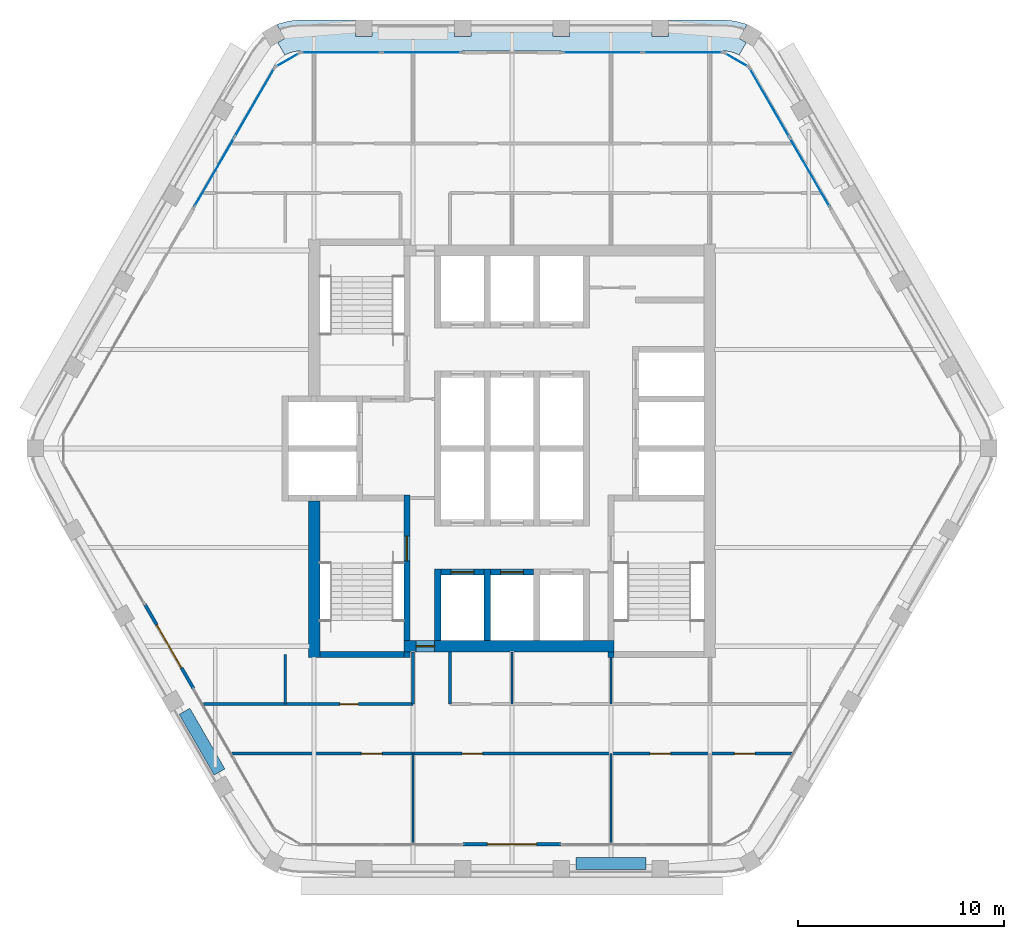
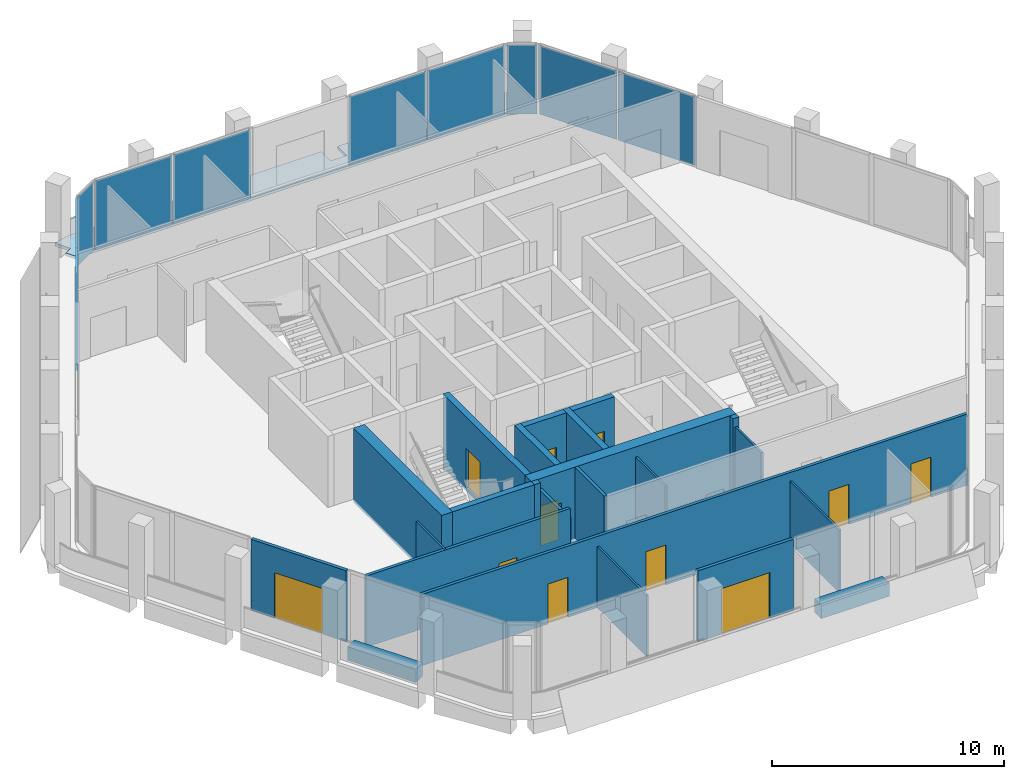
# One storey, part 7 of 14: 23 walls, 11 doors, 10 plates, 1 slab, 11 openings, 6 elements without a shape of their own.
"""IFC4 building model written with IfcOpenShell, lengths in metres."""

from ifc_helpers import new_model, si_unit, direction, frame, frame_2d, origin, origin_2d, place, context, subcontext, project, spatial, polyline, rectangle, outline, extrude, material, layer, layer_set, type_object, element, fill, aggregate, save


model = new_model("IFC4")

# Units and contexts
model_context = context("Model", 3, precision=1e-05, world=origin(), true_north=direction((0.0, 1.0)))
body_context = subcontext(model_context, "Body", "Model", "MODEL_VIEW")
ifc_project = project(units=[si_unit("LENGTHUNIT", "METRE"), si_unit("AREAUNIT", "SQUARE_METRE"), si_unit("VOLUMEUNIT", "CUBIC_METRE"), si_unit("PLANEANGLEUNIT", "RADIAN"), si_unit("MASSUNIT", "GRAM", prefix="KILO")], contexts=[model_context])

# Site, building, storey
site_placement = place(None, origin())
site = spatial("IfcSite", under=ifc_project, at=site_placement, CompositionType="ELEMENT")
building_placement = place(site_placement, origin())
building = spatial("IfcBuilding", under=site, at=building_placement, Name="Kolab Exchange Tower", CompositionType="ELEMENT")
storey_placement = place(building_placement, frame((0.0, 0.0, 246.199951171875)))
storey = spatial("IfcBuildingStorey", under=building, at=storey_placement, Name="L54", CompositionType="ELEMENT", Elevation=246.199951171875)

# Slab
ifc_material_1 = material(Name="Concrete C35/45", Category="concrete")
ifc_layer_1 = layer(ifc_material_1, 0.14990234375)
ifc_layer_set_1 = layer_set([ifc_layer_1], Name="Concrete C35/45")
slab_type = type_object("IfcSlabType", Name="LOGGIA SLAB 150", PredefinedType="FLOOR", material=ifc_layer_set_1)
slab_placement = place(storey_placement, frame((0.0, 0.0, -0.14990234375)))
element("IfcSlab", 1, at=slab_placement, inside=storey, type_object=slab_type, Name="slab/L54/loggia/0-0", PredefinedType="FLOOR", context=body_context, shape_type="SweptSolid", body=[
    extrude(outline(polyline([(11.01806640625, 19.083740234375), (11.367919921875, 19.68994140625), (11.021484375, 19.889892578125), (11.404052734375, 20.552490234375), (11.2939453125, 20.603759765625), (10.788818359375, 20.739013671875), (10.26806640625, 20.78466796875), (7.60009765625, 20.78466796875), (7.60009765625, 19.984619140625), (6.800048828125, 19.984619140625), (6.800048828125, 20.78466796875), (2.800048828125, 20.78466796875), (2.800048828125, 19.984619140625), (2.0, 19.984619140625), (2.0, 20.78466796875), (-2.0, 20.78466796875), (-2.0, 19.984619140625), (-2.800048828125, 19.984619140625), (-2.800048828125, 20.78466796875), (-6.800048828125, 20.78466796875), (-6.800048828125, 19.984619140625), (-7.60009765625, 19.984619140625), (-7.60009765625, 20.78466796875), (-10.26806640625, 20.78466796875), (-10.788818359375, 20.739013671875), (-11.2939453125, 20.603759765625), (-11.404052734375, 20.552490234375), (-11.021484375, 19.889892578125), (-11.367919921875, 19.68994140625), (-11.01806640625, 19.083740234375), (-10.781005859375, 19.194091796875), (-10.5283203125, 19.26171875), (-10.26806640625, 19.28466796875), (10.26806640625, 19.28466796875), (10.5283203125, 19.26171875), (10.781005859375, 19.194091796875), (11.01806640625, 19.083740234375)])), origin(), (0.0, 0.0, 1.0), 0.14990234375),
])

# Curtain wall, plates
ifc_material_2 = material(Name="Aluminium EN AW-6063 T6", Category="aluminium")
curtain_wall_type = type_object("IfcCurtainWallType", Name="UNITISED HIGH ZONE CURTAIN WALL", PredefinedType="NOTDEFINED", material=ifc_material_2)
curtain_wall_1_placement = place(storey_placement, origin())
curtain_wall_1 = element("IfcCurtainWall", 2, at=curtain_wall_1_placement, inside=storey, type_object=curtain_wall_type, Name="cw/L54/F1-1", PredefinedType="NOTDEFINED")
ifc_material_3 = material(Name="Clear insulated glazing unit", Category="glass")
ifc_layer_2 = layer(ifc_material_3, 0.030029296875)
ifc_layer_set_2 = layer_set([ifc_layer_2], Name="Clear insulated glazing unit")
plate_type = type_object("IfcPlateType", Name="UNITISED HIGH ZONE GLASS PANEL 30", PredefinedType="CURTAIN_PANEL", material=ifc_layer_set_2)
plate_1_placement = place(storey_placement, frame((-8.285888671875, 19.20458984375, 0.06005859375), z_axis=(0.0, 0.0, 1.0), x_axis=(1.0, 0.0, 0.0)))
plate_1 = element("IfcPlate", 3, at=plate_1_placement, type_object=plate_type, Name="CW4 panel 1.1", PredefinedType="CURTAIN_PANEL", context=body_context, shape_type="SweptSolid", body=[
    extrude(rectangle(XDim=3.843994140625, YDim=0.030029296875, at=origin_2d()), origin(), (0.0, 0.0, 1.0), 3.6298828125),
])
plate_2_placement = place(storey_placement, frame((-4.382080078125, 19.20458984375, 0.06005859375), z_axis=(0.0, 0.0, 1.0), x_axis=(1.0, 0.0, 0.0)))
plate_2 = element("IfcPlate", 4, at=plate_2_placement, type_object=plate_type, Name="CW4 panel 2.1", PredefinedType="CURTAIN_PANEL", context=body_context, shape_type="SweptSolid", body=[
    extrude(rectangle(XDim=3.843994140625, YDim=0.030029296875, at=origin_2d()), origin(), (0.0, 0.0, 1.0), 3.6298828125),
])
aggregate(curtain_wall_1, [plate_1, plate_2])

curtain_wall_2_placement = place(storey_placement, origin())
curtain_wall_2 = element("IfcCurtainWall", 5, at=curtain_wall_2_placement, inside=storey, type_object=curtain_wall_type, Name="cw/L54/F1-2", PredefinedType="NOTDEFINED")
plate_3_placement = place(storey_placement, frame((4.382080078125, 19.20458984375, 0.06005859375), z_axis=(0.0, 0.0, 1.0), x_axis=(1.0, 0.0, 0.0)))
plate_3 = element("IfcPlate", 6, at=plate_3_placement, type_object=plate_type, Name="CW4 panel 1.1", PredefinedType="CURTAIN_PANEL", context=body_context, shape_type="SweptSolid", body=[
    extrude(rectangle(XDim=3.843994140625, YDim=0.030029296875, at=origin_2d()), origin(), (0.0, 0.0, 1.0), 3.6298828125),
])
plate_4_placement = place(storey_placement, frame((8.285888671875, 19.20458984375, 0.06005859375), z_axis=(0.0, 0.0, 1.0), x_axis=(1.0, 0.0, 0.0)))
plate_4 = element("IfcPlate", 7, at=plate_4_placement, type_object=plate_type, Name="CW4 panel 2.1", PredefinedType="CURTAIN_PANEL", context=body_context, shape_type="SweptSolid", body=[
    extrude(rectangle(XDim=3.843994140625, YDim=0.030029296875, at=origin_2d()), origin(), (0.0, 0.0, 1.0), 3.6298828125),
])
aggregate(curtain_wall_2, [plate_3, plate_4])

curtain_wall_3_placement = place(storey_placement, origin())
curtain_wall_3 = element("IfcCurtainWall", 8, at=curtain_wall_3_placement, inside=storey, type_object=curtain_wall_type, Name="cw/L54/F2-1", PredefinedType="NOTDEFINED")
plate_5_placement = place(storey_placement, frame((12.48876953125, 16.778076171875, 0.06005859375), z_axis=(0.0, 0.0, 1.0), x_axis=(0.500000031681, -0.866025385493, 0.0)))
plate_5 = element("IfcPlate", 9, at=plate_5_placement, type_object=plate_type, Name="CW4 panel 1.1", PredefinedType="CURTAIN_PANEL", context=body_context, shape_type="SweptSolid", body=[
    extrude(rectangle(XDim=3.843994140625, YDim=0.030029296875, at=origin_2d()), origin(), (0.0, 0.0, 1.0), 3.6298828125),
])
plate_6_placement = place(storey_placement, frame((14.440673828125, 13.397216796875, 0.06005859375), z_axis=(0.0, 0.0, 1.0), x_axis=(0.500000031681, -0.866025385493, 0.0)))
plate_6 = element("IfcPlate", 10, at=plate_6_placement, type_object=plate_type, Name="CW4 panel 2.1", PredefinedType="CURTAIN_PANEL", context=body_context, shape_type="SweptSolid", body=[
    extrude(rectangle(XDim=3.843994140625, YDim=0.030029296875, at=origin_2d()), origin(), (0.0, 0.0, 1.0), 3.6298828125),
])
aggregate(curtain_wall_3, [plate_5, plate_6])

curtain_wall_4_placement = place(storey_placement, origin())
curtain_wall_4 = element("IfcCurtainWall", 11, at=curtain_wall_4_placement, inside=storey, type_object=curtain_wall_type, Name="cw/L54/F6-2", PredefinedType="NOTDEFINED")
plate_7_placement = place(storey_placement, frame((-14.440673828125, 13.397216796875, 0.06005859375), z_axis=(0.0, 0.0, 1.0), x_axis=(0.500000031681, 0.866025385493, 0.0)))
plate_7 = element("IfcPlate", 12, at=plate_7_placement, type_object=plate_type, Name="CW4 panel 1.1", PredefinedType="CURTAIN_PANEL", context=body_context, shape_type="SweptSolid", body=[
    extrude(rectangle(XDim=3.843994140625, YDim=0.030029296875, at=origin_2d()), origin(), (0.0, 0.0, 1.0), 3.6298828125),
])
plate_8_placement = place(storey_placement, frame((-12.48876953125, 16.778076171875, 0.06005859375), z_axis=(0.0, 0.0, 1.0), x_axis=(0.500000031681, 0.866025385493, 0.0)))
plate_8 = element("IfcPlate", 13, at=plate_8_placement, type_object=plate_type, Name="CW4 panel 2.1", PredefinedType="CURTAIN_PANEL", context=body_context, shape_type="SweptSolid", body=[
    extrude(rectangle(XDim=3.843994140625, YDim=0.030029296875, at=origin_2d()), origin(), (0.0, 0.0, 1.0), 3.6298828125),
])
aggregate(curtain_wall_4, [plate_7, plate_8])

# Curtain wall, plate
curtain_wall_5_placement = place(storey_placement, origin())
curtain_wall_5 = element("IfcCurtainWall", 14, at=curtain_wall_5_placement, inside=storey, type_object=curtain_wall_type, Name="cw/L54/F1F2-corner", PredefinedType="NOTDEFINED")
plate_9_placement = place(storey_placement, frame((10.8828125, 18.849609375, 0.06005859375), z_axis=(0.0, 0.0, 1.0), x_axis=(0.866025390869, -0.50000002237, 0.0)))
plate_9 = element("IfcPlate", 15, at=plate_9_placement, type_object=plate_type, Name="CW4 panel 1.1", PredefinedType="CURTAIN_PANEL", context=body_context, shape_type="SweptSolid", body=[
    extrude(rectangle(XDim=1.300048828125, YDim=0.030029296875, at=origin_2d()), origin(), (0.0, 0.0, 1.0), 3.6298828125),
])
aggregate(curtain_wall_5, [plate_9])

curtain_wall_6_placement = place(storey_placement, origin())
curtain_wall_6 = element("IfcCurtainWall", 16, at=curtain_wall_6_placement, inside=storey, type_object=curtain_wall_type, Name="cw/L54/F6F1-corner", PredefinedType="NOTDEFINED")
plate_10_placement = place(storey_placement, frame((-10.8828125, 18.849609375, 0.06005859375), z_axis=(0.0, 0.0, 1.0), x_axis=(0.866025390869, 0.50000002237, 0.0)))
plate_10 = element("IfcPlate", 17, at=plate_10_placement, type_object=plate_type, Name="CW4 panel 1.1", PredefinedType="CURTAIN_PANEL", context=body_context, shape_type="SweptSolid", body=[
    extrude(rectangle(XDim=1.300048828125, YDim=0.030029296875, at=origin_2d()), origin(), (0.0, 0.0, 1.0), 3.6298828125),
])
aggregate(curtain_wall_6, [plate_10])

# Wall, opening, door
ifc_material_4 = material(Name="Concrete C50/60", Category="concrete")
ifc_layer_3 = layer(ifc_material_4, 0.550048828125)
ifc_layer_set_3 = layer_set([ifc_layer_3], Name="Concrete C50/60")
wall_type_1 = type_object("IfcWallType", Name="CORE WALL 550 C50/60", PredefinedType="SHEAR", material=ifc_layer_set_3)
wall_1_placement = place(storey_placement, frame((-5.25, -9.60009765625, -0.14990234375), z_axis=(0.0, 0.0, 1.0), x_axis=(1.0, 0.0, 0.0)))
wall_1 = element("IfcWall", 18, at=wall_1_placement, inside=storey, type_object=wall_type_1, Name="wall/L54/core/002", PredefinedType="SHEAR", context=body_context, shape_type="SweptSolid", body=[
    extrude(rectangle(XDim=10.199951171875, YDim=0.550048828125, at=frame_2d((5.10009765625, 0.0))), origin(), (0.0, 0.0, 1.0), 3.89990234375),
])
opening_1_placement = place(wall_1_placement, frame((0.60009765625, 0.0, 0.14990234375)))
opening_1 = element("IfcOpeningElement", 19, at=opening_1_placement, cuts=wall_1, Name="Opening D6-297", PredefinedType="OPENING", context=body_context, shape_type="SweptSolid", body=[
    extrude(rectangle(XDim=0.89990234375, YDim=2.10009765625, at=frame_2d((0.449951171875, 1.050048828125))), frame((0.0, 0.28515625, 0.0), z_axis=(0.0, -1.0, 0.0), x_axis=(1.0, 0.0, 0.0)), (0.0, 0.0, 1.0), 0.570068359375),
])
ifc_material_5 = material(Name="Steel S235", Category="steel")
door_type_1 = type_object("IfcDoorType", Name="CORE DOOR 900 EI 120", OperationType="SINGLE_SWING_LEFT", PredefinedType="DOOR", material=ifc_material_5)
door_1_placement = place(opening_1_placement, origin())
door_1 = element("IfcDoor", 20, at=door_1_placement, inside=storey, type_object=door_type_1, Name="Core lobby door", OperationType="SINGLE_SWING_RIGHT", OverallHeight=2.10009765625, OverallWidth=0.89990234375, PredefinedType="DOOR", context=body_context, shape_type="SweptSolid", body=[
    extrude(rectangle(XDim=0.89990234375, YDim=2.10009765625, at=frame_2d((0.449951171875, 1.050048828125))), frame((0.0, 0.02490234375, 0.0), z_axis=(0.0, -1.0, 0.0), x_axis=(1.0, 0.0, 0.0)), (0.0, 0.0, 1.0), 0.050048828125),
])
fill(opening_1, door_1)

# Wall
wall_2_placement = place(storey_placement, frame((-9.60009765625, -10.14990234375, -0.14990234375), z_axis=(0.0, 0.0, 1.0), x_axis=(0.0, 1.0, 0.0)))
element("IfcWall", 21, at=wall_2_placement, inside=storey, type_object=wall_type_1, Name="wall/L54/core/034", PredefinedType="SHEAR", context=body_context, shape_type="SweptSolid", body=[
    extrude(rectangle(XDim=7.599853515625, YDim=0.550048828125, at=frame_2d((3.7998046875, 0.0))), origin(), (0.0, 0.0, 1.0), 3.89990234375),
])

# Wall, opening, door
ifc_layer_4 = layer(ifc_material_2, 0.159912109375)
ifc_layer_set_4 = layer_set([ifc_layer_4], Name="Aluminium EN AW-6063 T6")
wall_type_2 = type_object("IfcWallType", Name="DOOR SURROUND WALL 160 ALUMINIUM FRAMED", PredefinedType="PARTITIONING", material=ifc_layer_set_4)
wall_3_placement = place(storey_placement, frame((2.3701171875, -19.20458984375, 0.0), z_axis=(0.0, 0.0, 1.0), x_axis=(-1.0, 0.0, 0.0)))
wall_3 = element("IfcWall", 22, at=wall_3_placement, inside=storey, type_object=wall_type_2, Name="Door surround wall", PredefinedType="PARTITIONING", context=body_context, shape_type="SweptSolid", body=[
    extrude(rectangle(XDim=4.740234375, YDim=0.159912109375, at=frame_2d((2.3701171875, 0.0))), origin(), (0.0, 0.0, 1.0), 3.75),
])
opening_2_placement = place(wall_3_placement, frame((1.169921875, 0.0, 0.0)))
opening_2 = element("IfcOpeningElement", 23, at=opening_2_placement, cuts=wall_3, Name="Opening GD1-092", PredefinedType="OPENING", context=body_context, shape_type="SweptSolid", body=[
    extrude(rectangle(XDim=2.39990234375, YDim=2.39990234375, at=frame_2d((1.199951171875, 1.199951171875))), frame((0.0, 0.08984375, 0.0), z_axis=(0.0, -1.0, 0.0), x_axis=(1.0, 0.0, 0.0)), (0.0, 0.0, 1.0), 0.179931640625),
])
door_type_2 = type_object("IfcDoorType", Name="LOGGIA SLIDING GLASS DOOR 2400 X 2400", OperationType="DOUBLE_DOOR_SINGLE_SWING", PredefinedType="DOOR", material=ifc_material_2)
door_2_placement = place(opening_2_placement, origin())
door_2 = element("IfcDoor", 24, at=door_2_placement, inside=storey, type_object=door_type_2, Name="Loggia door", OperationType="DOUBLE_DOOR_SLIDING", OverallHeight=2.39990234375, OverallWidth=2.39990234375, PredefinedType="DOOR", context=body_context, shape_type="SweptSolid", body=[
    extrude(rectangle(XDim=2.39990234375, YDim=2.39990234375, at=frame_2d((1.199951171875, 1.199951171875))), frame((0.0, 0.02490234375, 0.0), z_axis=(0.0, -1.0, 0.0), x_axis=(1.0, 0.0, 0.0)), (0.0, 0.0, 1.0), 0.050048828125),
])
fill(opening_2, door_2)

wall_4_placement = place(storey_placement, frame((-15.44677734375, -11.65478515625, 0.0), z_axis=(0.0, 0.0, 1.0), x_axis=(-0.499978080042, 0.866038058908, 0.0)))
wall_4 = element("IfcWall", 25, at=wall_4_placement, inside=storey, type_object=wall_type_2, Name="Door surround wall", PredefinedType="PARTITIONING", context=body_context, shape_type="SweptSolid", body=[
    extrude(rectangle(XDim=4.739990234375, YDim=0.159912109375, at=frame_2d((2.3701171875, 0.0))), origin(), (0.0, 0.0, 1.0), 3.75),
])
opening_3_placement = place(wall_4_placement, frame((1.169921875, 0.0, 0.0)))
opening_3 = element("IfcOpeningElement", 26, at=opening_3_placement, cuts=wall_4, Name="Opening GD1-093", PredefinedType="OPENING", context=body_context, shape_type="SweptSolid", body=[
    extrude(rectangle(XDim=2.39990234375, YDim=2.39990234375, at=frame_2d((1.199951171875, 1.199951171875))), frame((0.0, 0.08984375, 0.0), z_axis=(0.0, -1.0, 0.0), x_axis=(1.0, 0.0, 0.0)), (0.0, 0.0, 1.0), 0.179931640625),
])
door_3_placement = place(opening_3_placement, origin())
door_3 = element("IfcDoor", 27, at=door_3_placement, inside=storey, type_object=door_type_2, Name="Loggia door", OperationType="DOUBLE_DOOR_SLIDING", OverallHeight=2.39990234375, OverallWidth=2.39990234375, PredefinedType="DOOR", context=body_context, shape_type="SweptSolid", body=[
    extrude(rectangle(XDim=2.39990234375, YDim=2.39990234375, at=frame_2d((1.199951171875, 1.199951171875))), frame((0.0, 0.02490234375, 0.0), z_axis=(0.0, -1.0, 0.0), x_axis=(1.0, 0.0, 0.0)), (0.0, 0.0, 1.0), 0.050048828125),
])
fill(opening_3, door_3)

ifc_layer_5 = layer(ifc_material_4, 0.300048828125)
ifc_layer_set_5 = layer_set([ifc_layer_5], Name="Concrete C50/60")
wall_type_3 = type_object("IfcWallType", Name="LIFT SHAFT WALL 300 C50/60", PredefinedType="STANDARD", material=ifc_layer_set_5)
wall_5_placement = place(storey_placement, frame((-3.449951171875, -6.0, -0.14990234375), z_axis=(0.0, 0.0, 1.0), x_axis=(1.0, 0.0, 0.0)))
wall_5 = element("IfcWall", 28, at=wall_5_placement, inside=storey, type_object=wall_type_3, Name="wall/L54/core/003", PredefinedType="STANDARD", context=body_context, shape_type="SweptSolid", body=[
    extrude(rectangle(XDim=2.099853515625, YDim=0.300048828125, at=frame_2d((1.0498046875, 0.0))), origin(), (0.0, 0.0, 1.0), 3.89990234375),
])
opening_4_placement = place(wall_5_placement, frame((0.5, 0.0, 0.14990234375)))
opening_4 = element("IfcOpeningElement", 29, at=opening_4_placement, cuts=wall_5, Name="Opening LD1-110", PredefinedType="OPENING", context=body_context, shape_type="SweptSolid", body=[
    extrude(rectangle(XDim=1.10009765625, YDim=2.10009765625, at=frame_2d((0.550048828125, 1.050048828125))), frame((0.0, 0.16015625, 0.0), z_axis=(0.0, -1.0, 0.0), x_axis=(1.0, 0.0, 0.0)), (0.0, 0.0, 1.0), 0.320068359375),
])
ifc_material_6 = material(Name="Stainless steel 316", Category="steel")
door_type_3 = type_object("IfcDoorType", Name="LANDING DOOR 1100 PASSENGER", OperationType="DOUBLE_DOOR_SLIDING", PredefinedType="DOOR", material=ifc_material_6)
door_4_placement = place(opening_4_placement, origin())
door_4 = element("IfcDoor", 30, at=door_4_placement, inside=storey, type_object=door_type_3, Name="Landing door HR10", OperationType="DOUBLE_DOOR_SLIDING", OverallHeight=2.10009765625, OverallWidth=1.10009765625, PredefinedType="DOOR", context=body_context, shape_type="SweptSolid", body=[
    extrude(rectangle(XDim=1.10009765625, YDim=2.10009765625, at=frame_2d((0.550048828125, 1.050048828125))), frame((0.0, 0.02490234375, 0.0), z_axis=(0.0, -1.0, 0.0), x_axis=(1.0, 0.0, 0.0)), (0.0, 0.0, 1.0), 0.050048828125),
])
fill(opening_4, door_4)

wall_6_placement = place(storey_placement, frame((-1.050048828125, -6.0, -0.14990234375), z_axis=(0.0, 0.0, 1.0), x_axis=(1.0, 0.0, 0.0)))
wall_6 = element("IfcWall", 31, at=wall_6_placement, inside=storey, type_object=wall_type_3, Name="wall/L54/core/004", PredefinedType="STANDARD", context=body_context, shape_type="SweptSolid", body=[
    extrude(rectangle(XDim=2.10009765625, YDim=0.300048828125, at=frame_2d((1.050048828125, 0.0))), origin(), (0.0, 0.0, 1.0), 3.89990234375),
])
opening_5_placement = place(wall_6_placement, frame((0.5, 0.0, 0.14990234375)))
opening_5 = element("IfcOpeningElement", 32, at=opening_5_placement, cuts=wall_6, Name="Opening LD1-111", PredefinedType="OPENING", context=body_context, shape_type="SweptSolid", body=[
    extrude(rectangle(XDim=1.10009765625, YDim=2.10009765625, at=frame_2d((0.550048828125, 1.050048828125))), frame((0.0, 0.16015625, 0.0), z_axis=(0.0, -1.0, 0.0), x_axis=(1.0, 0.0, 0.0)), (0.0, 0.0, 1.0), 0.320068359375),
])
door_5_placement = place(opening_5_placement, origin())
door_5 = element("IfcDoor", 33, at=door_5_placement, inside=storey, type_object=door_type_3, Name="Landing door HR11", OperationType="DOUBLE_DOOR_SLIDING", OverallHeight=2.10009765625, OverallWidth=1.10009765625, PredefinedType="DOOR", context=body_context, shape_type="SweptSolid", body=[
    extrude(rectangle(XDim=1.10009765625, YDim=2.10009765625, at=frame_2d((0.550048828125, 1.050048828125))), frame((0.0, 0.02490234375, 0.0), z_axis=(0.0, -1.0, 0.0), x_axis=(1.0, 0.0, 0.0)), (0.0, 0.0, 1.0), 0.050048828125),
])
fill(opening_5, door_5)

# Walls
for number, where, z_axis, x_axis, name in (
    (34, (-3.60009765625, -9.324951171875, -0.14990234375), (0.0, 0.0, 1.0), (0.0, 1.0, 0.0), "wall/L54/core/043"),
    (35, (-1.199951171875, -9.324951171875, -0.14990234375), (0.0, 0.0, 1.0), (0.0, 1.0, 0.0), "wall/L54/core/046"),
):
    element("IfcWall", number, at=place(storey_placement, frame(where, z_axis=z_axis, x_axis=x_axis)), inside=storey, type_object=wall_type_3, Name=name, PredefinedType="STANDARD", context=body_context, shape_type="SweptSolid", body=[
        extrude(rectangle(XDim=3.474853515625, YDim=0.300048828125, at=frame_2d((1.7373046875, 0.0))), origin(), (0.0, 0.0, 1.0), 3.89990234375),
    ])
ifc_material_7 = material(Name="Gypsum board", Category="gypsum")
ifc_layer_6 = layer(ifc_material_7, 0.10009765625)
ifc_layer_set_6 = layer_set([ifc_layer_6], Name="Gypsum board")
wall_type_4 = type_object("IfcWallType", Name="PARTITION 100", PredefinedType="PARTITIONING", material=ifc_layer_set_6)
wall_7_placement = place(storey_placement, frame((4.800048828125, -19.114501953125, 0.0), z_axis=(0.0, 0.0, 1.0), x_axis=(0.0, 1.0, 0.0)))
element("IfcWall", 36, at=wall_7_placement, inside=storey, type_object=wall_type_4, Name="Partition 004", PredefinedType="PARTITIONING", context=body_context, shape_type="SweptSolid", body=[
    extrude(rectangle(XDim=4.314453125, YDim=0.10009765625, at=frame_2d((2.1572265625, 0.0))), origin(), (0.0, 0.0, 1.0), 3.29296875),
])
wall_8_placement = place(storey_placement, frame((4.800048828125, -12.39990234375, 0.0), z_axis=(0.0, 0.0, 1.0), x_axis=(0.0, 1.0, 0.0)))
element("IfcWall", 37, at=wall_8_placement, inside=storey, type_object=wall_type_4, Name="Partition 005", PredefinedType="PARTITIONING", context=body_context, shape_type="SweptSolid", body=[
    extrude(rectangle(XDim=2.25, YDim=0.10009765625, at=frame_2d((1.125, 0.0))), origin(), (0.0, 0.0, 1.0), 3.29296875),
])
wall_9_placement = place(storey_placement, frame((0.0, -12.39990234375, 0.0), z_axis=(0.0, 0.0, 1.0), x_axis=(0.0, 1.0, 0.0)))
element("IfcWall", 38, at=wall_9_placement, inside=storey, type_object=wall_type_4, Name="Partition 008", PredefinedType="PARTITIONING", context=body_context, shape_type="SweptSolid", body=[
    extrude(rectangle(XDim=2.52490234375, YDim=0.10009765625, at=frame_2d((1.262451171875, 0.0))), origin(), (0.0, 0.0, 1.0), 3.217041015625),
])
wall_10_placement = place(storey_placement, frame((-4.800048828125, -19.114501953125, 0.0), z_axis=(0.0, 0.0, 1.0), x_axis=(0.0, 1.0, 0.0)))
element("IfcWall", 39, at=wall_10_placement, inside=storey, type_object=wall_type_4, Name="Partition 012", PredefinedType="PARTITIONING", context=body_context, shape_type="SweptSolid", body=[
    extrude(rectangle(XDim=4.314453125, YDim=0.10009765625, at=frame_2d((2.1572265625, 0.0))), origin(), (0.0, 0.0, 1.0), 3.217041015625),
])
wall_11_placement = place(storey_placement, frame((-11.0, -12.39990234375, 0.0), z_axis=(0.0, 0.0, 1.0), x_axis=(0.0, 1.0, 0.0)))
element("IfcWall", 40, at=wall_11_placement, inside=storey, type_object=wall_type_4, Name="Partition 017", PredefinedType="PARTITIONING", context=body_context, shape_type="SweptSolid", body=[
    extrude(rectangle(XDim=2.39990234375, YDim=0.10009765625, at=frame_2d((1.199951171875, 0.0))), origin(), (0.0, 0.0, 1.0), 3.75),
])
ifc_layer_7 = layer(ifc_material_7, 0.14990234375)
ifc_layer_set_7 = layer_set([ifc_layer_7], Name="Gypsum board")
wall_type_5 = type_object("IfcWallType", Name="PARTITION 150 FIRE-RATED", PredefinedType="PARTITIONING", material=ifc_layer_set_7)
wall_12_placement = place(storey_placement, frame((-3.0, -12.39990234375, 0.0), z_axis=(0.0, 0.0, 1.0), x_axis=(0.0, 1.0, 0.0)))
element("IfcWall", 41, at=wall_12_placement, inside=storey, type_object=wall_type_5, Name="Partition 010", PredefinedType="PARTITIONING", context=body_context, shape_type="SweptSolid", body=[
    extrude(rectangle(XDim=2.52490234375, YDim=0.14990234375, at=frame_2d((1.262451171875, 0.0))), origin(), (0.0, 0.0, 1.0), 3.75),
])
wall_13_placement = place(storey_placement, frame((-4.800048828125, -12.39990234375, 0.0), z_axis=(0.0, 0.0, 1.0), x_axis=(0.0, 1.0, 0.0)))
element("IfcWall", 42, at=wall_13_placement, inside=storey, type_object=wall_type_5, Name="Partition 014", PredefinedType="PARTITIONING", context=body_context, shape_type="SweptSolid", body=[
    extrude(rectangle(XDim=2.52490234375, YDim=0.14990234375, at=frame_2d((1.262451171875, 0.0))), origin(), (0.0, 0.0, 1.0), 3.217041015625),
])

# Wall, openings, doors
wall_14_placement = place(storey_placement, frame((-13.584716796875, -14.800048828125, 0.0), z_axis=(0.0, 0.0, 1.0), x_axis=(1.0, 0.0, 0.0)))
wall_14 = element("IfcWall", 43, at=wall_14_placement, inside=storey, type_object=wall_type_5, Name="Partition 019", PredefinedType="PARTITIONING", context=body_context, shape_type="SweptSolid", body=[
    extrude(rectangle(XDim=27.16943359375, YDim=0.14990234375, at=frame_2d((13.584716796875, 0.0))), origin(), (0.0, 0.0, 1.0), 3.75),
])
opening_6_placement = place(wall_14_placement, frame((6.281005859375, 0.0, 0.0)))
opening_6 = element("IfcOpeningElement", 44, at=opening_6_placement, cuts=wall_14, Name="Opening D1-682", PredefinedType="OPENING", context=body_context, shape_type="SweptSolid", body=[
    extrude(rectangle(XDim=1.0, YDim=2.10009765625, at=frame_2d((0.5, 1.050048828125))), frame((0.0, 0.0849609375, 0.0), z_axis=(0.0, -1.0, 0.0), x_axis=(1.0, 0.0, 0.0)), (0.0, 0.0, 1.0), 0.169921875),
])
opening_7_placement = place(wall_14_placement, frame((11.15966796875, 0.0, 0.0)))
opening_7 = element("IfcOpeningElement", 45, at=opening_7_placement, cuts=wall_14, Name="Opening D1-683", PredefinedType="OPENING", context=body_context, shape_type="SweptSolid", body=[
    extrude(rectangle(XDim=1.0, YDim=2.10009765625, at=frame_2d((0.5, 1.050048828125))), frame((0.0, 0.0849609375, 0.0), z_axis=(0.0, -1.0, 0.0), x_axis=(1.0, 0.0, 0.0)), (0.0, 0.0, 1.0), 0.169921875),
])
opening_8_placement = place(wall_14_placement, frame((20.28466796875, 0.0, 0.0)))
opening_8 = element("IfcOpeningElement", 46, at=opening_8_placement, cuts=wall_14, Name="Opening D1-684", PredefinedType="OPENING", context=body_context, shape_type="SweptSolid", body=[
    extrude(rectangle(XDim=1.0, YDim=2.10009765625, at=frame_2d((0.5, 1.050048828125))), frame((0.0, 0.0849609375, 0.0), z_axis=(0.0, -1.0, 0.0), x_axis=(1.0, 0.0, 0.0)), (0.0, 0.0, 1.0), 0.169921875),
])
opening_9_placement = place(wall_14_placement, frame((24.36767578125, 0.0, 0.0)))
opening_9 = element("IfcOpeningElement", 47, at=opening_9_placement, cuts=wall_14, Name="Opening D1-685", PredefinedType="OPENING", context=body_context, shape_type="SweptSolid", body=[
    extrude(rectangle(XDim=1.0, YDim=2.10009765625, at=frame_2d((0.5, 1.050048828125))), frame((0.0, 0.0849609375, 0.0), z_axis=(0.0, -1.0, 0.0), x_axis=(1.0, 0.0, 0.0)), (0.0, 0.0, 1.0), 0.169921875),
])
door_type_4 = type_object("IfcDoorType", Name="FLUSH DOOR 1000 FD60", OperationType="SINGLE_SWING_LEFT", PredefinedType="DOOR", material=ifc_material_5)
door_6_placement = place(opening_6_placement, frame((1.0, 0.0, 0.0), z_axis=(0.0, 0.0, 1.0), x_axis=(-1.0, 0.0, 0.0)))
door_6 = element("IfcDoor", 48, at=door_6_placement, inside=storey, type_object=door_type_4, Name="Door L54-044", OperationType="SINGLE_SWING_RIGHT", OverallHeight=2.10009765625, OverallWidth=1.0, PredefinedType="DOOR", context=body_context, shape_type="SweptSolid", body=[
    extrude(rectangle(XDim=1.0, YDim=2.10009765625, at=frame_2d((0.5, 1.050048828125))), frame((0.0, 0.02490234375, 0.0), z_axis=(0.0, -1.0, 0.0), x_axis=(1.0, 0.0, 0.0)), (0.0, 0.0, 1.0), 0.050048828125),
])
fill(opening_6, door_6)
door_7_placement = place(opening_7_placement, frame((1.0, 0.0, 0.0), z_axis=(0.0, 0.0, 1.0), x_axis=(-1.0, 0.0, 0.0)))
door_7 = element("IfcDoor", 49, at=door_7_placement, inside=storey, type_object=door_type_4, Name="Door L54-045", OperationType="SINGLE_SWING_LEFT", OverallHeight=2.10009765625, OverallWidth=1.0, PredefinedType="DOOR", context=body_context, shape_type="SweptSolid", body=[
    extrude(rectangle(XDim=1.0, YDim=2.10009765625, at=frame_2d((0.5, 1.050048828125))), frame((0.0, 0.02490234375, 0.0), z_axis=(0.0, -1.0, 0.0), x_axis=(1.0, 0.0, 0.0)), (0.0, 0.0, 1.0), 0.050048828125),
])
fill(opening_7, door_7)
door_8_placement = place(opening_8_placement, frame((1.0, 0.0, 0.0), z_axis=(0.0, 0.0, 1.0), x_axis=(-1.0, 0.0, 0.0)))
door_8 = element("IfcDoor", 50, at=door_8_placement, inside=storey, type_object=door_type_4, Name="Door L54-046", OperationType="SINGLE_SWING_RIGHT", OverallHeight=2.10009765625, OverallWidth=1.0, PredefinedType="DOOR", context=body_context, shape_type="SweptSolid", body=[
    extrude(rectangle(XDim=1.0, YDim=2.10009765625, at=frame_2d((0.5, 1.050048828125))), frame((0.0, 0.02490234375, 0.0), z_axis=(0.0, -1.0, 0.0), x_axis=(1.0, 0.0, 0.0)), (0.0, 0.0, 1.0), 0.050048828125),
])
fill(opening_8, door_8)
door_9_placement = place(opening_9_placement, frame((1.0, 0.0, 0.0), z_axis=(0.0, 0.0, 1.0), x_axis=(-1.0, 0.0, 0.0)))
door_9 = element("IfcDoor", 51, at=door_9_placement, inside=storey, type_object=door_type_4, Name="Door L54-047", OperationType="SINGLE_SWING_LEFT", OverallHeight=2.10009765625, OverallWidth=1.0, PredefinedType="DOOR", context=body_context, shape_type="SweptSolid", body=[
    extrude(rectangle(XDim=1.0, YDim=2.10009765625, at=frame_2d((0.5, 1.050048828125))), frame((0.0, 0.02490234375, 0.0), z_axis=(0.0, -1.0, 0.0), x_axis=(1.0, 0.0, 0.0)), (0.0, 0.0, 1.0), 0.050048828125),
])
fill(opening_9, door_9)

# Wall, opening, door
wall_15_placement = place(storey_placement, frame((-14.97021484375, -12.39990234375, 0.0), z_axis=(0.0, 0.0, 1.0), x_axis=(1.0, 0.0, 0.0)))
wall_15 = element("IfcWall", 52, at=wall_15_placement, inside=storey, type_object=wall_type_5, Name="Partition 020", PredefinedType="PARTITIONING", context=body_context, shape_type="SweptSolid", body=[
    extrude(rectangle(XDim=10.170166015625, YDim=0.14990234375, at=frame_2d((5.0849609375, 0.0))), origin(), (0.0, 0.0, 1.0), 3.75),
])
opening_10_placement = place(wall_15_placement, frame((6.6201171875, 0.0, 0.0)))
opening_10 = element("IfcOpeningElement", 53, at=opening_10_placement, cuts=wall_15, Name="Opening D3-081", PredefinedType="OPENING", context=body_context, shape_type="SweptSolid", body=[
    extrude(rectangle(XDim=0.89990234375, YDim=2.10009765625, at=frame_2d((0.449951171875, 1.050048828125))), frame((0.0, 0.0849609375, 0.0), z_axis=(0.0, -1.0, 0.0), x_axis=(1.0, 0.0, 0.0)), (0.0, 0.0, 1.0), 0.169921875),
])
door_type_5 = type_object("IfcDoorType", Name="FLUSH DOOR 900 FD60", OperationType="SINGLE_SWING_LEFT", PredefinedType="DOOR", material=ifc_material_5)
door_10_placement = place(opening_10_placement, origin())
door_10 = element("IfcDoor", 54, at=door_10_placement, inside=storey, type_object=door_type_5, Name="Door L54-038", OperationType="SINGLE_SWING_LEFT", OverallHeight=2.10009765625, OverallWidth=0.89990234375, PredefinedType="DOOR", context=body_context, shape_type="SweptSolid", body=[
    extrude(rectangle(XDim=0.89990234375, YDim=2.10009765625, at=frame_2d((0.449951171875, 1.050048828125))), frame((0.0, 0.02490234375, 0.0), z_axis=(0.0, -1.0, 0.0), x_axis=(1.0, 0.0, 0.0)), (0.0, 0.0, 1.0), 0.050048828125),
])
fill(opening_10, door_10)

# Walls
ifc_material_8 = material(Name="Granite facing", Category="masonry")
ifc_layer_8 = layer(ifc_material_8, 0.0400390625)
ifc_material_9 = material(Name="Concrete C40/50 precast", Category="concrete")
ifc_layer_9 = layer(ifc_material_9, 0.56005859375)
ifc_layer_set_8 = layer_set([ifc_layer_8, ifc_layer_9], Name="Concrete C40/50 precast")
wall_type_6 = type_object("IfcWallType", Name="PLANTER BOX 600 X 700 SOIL DEPTH 550", PredefinedType="USERDEFINED", material=ifc_layer_set_8)
wall_16_placement = place(storey_placement, frame((6.5, -20.134521484375, 0.0), z_axis=(0.0, 0.0, 1.0), x_axis=(-1.0, 0.0, 0.0)))
element("IfcWall", 55, at=wall_16_placement, inside=storey, type_object=wall_type_6, Name="Planter", ObjectType="PLANTER", PredefinedType="USERDEFINED", context=body_context, shape_type="SweptSolid", body=[
    extrude(rectangle(XDim=3.39990234375, YDim=0.60009765625, at=frame_2d((1.699951171875, 0.0))), origin(), (0.0, 0.0, 1.0), 0.699951171875),
])
wall_17_placement = place(storey_placement, frame((-14.18701171875, -15.696533203125, 0.0), z_axis=(0.0, 0.0, 1.0), x_axis=(-0.499977295307, 0.866038511948, 0.0)))
element("IfcWall", 56, at=wall_17_placement, inside=storey, type_object=wall_type_6, Name="Planter", ObjectType="PLANTER", PredefinedType="USERDEFINED", context=body_context, shape_type="SweptSolid", body=[
    extrude(rectangle(XDim=3.400146484375, YDim=0.60009765625, at=frame_2d((1.7001953125, 0.0))), origin(), (0.0, 0.0, 1.0), 0.699951171875),
])
ifc_layer_10 = layer(ifc_material_4, 0.300048828125)
ifc_layer_set_9 = layer_set([ifc_layer_10], Name="Concrete C50/60")
wall_type_7 = type_object("IfcWallType", Name="STAIR ENCLOSURE WALL 300 C50/60", PredefinedType="STANDARD", material=ifc_layer_set_9)
wall_18_placement = place(storey_placement, frame((-9.324951171875, -10.0, -0.14990234375), z_axis=(0.0, 0.0, 1.0), x_axis=(1.0, 0.0, 0.0)))
element("IfcWall", 57, at=wall_18_placement, inside=storey, type_object=wall_type_7, Name="wall/L54/core/000", PredefinedType="STANDARD", context=body_context, shape_type="SweptSolid", body=[
    extrude(rectangle(XDim=4.074951171875, YDim=0.300048828125, at=frame_2d((2.03759765625, 0.0))), origin(), (0.0, 0.0, 1.0), 3.89990234375),
])
wall_19_placement = place(storey_placement, frame((-5.10009765625, -10.14990234375, -0.14990234375), z_axis=(0.0, 0.0, 1.0), x_axis=(0.0, 1.0, 0.0)))
element("IfcWall", 58, at=wall_19_placement, inside=storey, type_object=wall_type_7, Name="wall/L54/core/039", PredefinedType="STANDARD", context=body_context, shape_type="SweptSolid", body=[
    extrude(rectangle(XDim=0.27490234375, YDim=0.300048828125, at=frame_2d((0.137451171875, 0.0))), origin(), (0.0, 0.0, 1.0), 3.89990234375),
])

# Wall, opening, door
wall_20_placement = place(storey_placement, frame((-5.10009765625, -9.324951171875, -0.14990234375), z_axis=(0.0, 0.0, 1.0), x_axis=(0.0, 1.0, 0.0)))
wall_20 = element("IfcWall", 59, at=wall_20_placement, inside=storey, type_object=wall_type_7, Name="wall/L54/core/040", PredefinedType="STANDARD", context=body_context, shape_type="SweptSolid", body=[
    extrude(rectangle(XDim=7.074951171875, YDim=0.300048828125, at=frame_2d((3.53759765625, 0.0))), origin(), (0.0, 0.0, 1.0), 3.89990234375),
])
opening_11_placement = place(wall_20_placement, frame((3.875, 0.0, 0.14990234375)))
opening_11 = element("IfcOpeningElement", 60, at=opening_11_placement, cuts=wall_20, Name="Opening D4-078", PredefinedType="OPENING", context=body_context, shape_type="SweptSolid", body=[
    extrude(rectangle(XDim=1.199951171875, YDim=2.10009765625, at=frame_2d((0.60009765625, 1.050048828125))), frame((0.0, 0.16015625, 0.0), z_axis=(0.0, -1.0, 0.0), x_axis=(1.0, 0.0, 0.0)), (0.0, 0.0, 1.0), 0.320068359375),
])
door_type_6 = type_object("IfcDoorType", Name="STAIR DOOR 1200 EI 120", OperationType="SINGLE_SWING_LEFT", PredefinedType="DOOR", material=ifc_material_5)
door_11_placement = place(opening_11_placement, origin())
door_11 = element("IfcDoor", 61, at=door_11_placement, inside=storey, type_object=door_type_6, Name="Stair 3 door", OperationType="SINGLE_SWING_RIGHT", OverallHeight=2.10009765625, OverallWidth=1.199951171875, PredefinedType="DOOR", context=body_context, shape_type="SweptSolid", body=[
    extrude(rectangle(XDim=1.199951171875, YDim=2.10009765625, at=frame_2d((0.60009765625, 1.050048828125))), frame((0.0, 0.02490234375, 0.0), z_axis=(0.0, -1.0, 0.0), x_axis=(1.0, 0.0, 0.0)), (0.0, 0.0, 1.0), 0.050048828125),
])
fill(opening_11, door_11)

# Wall
wall_21_placement = place(storey_placement, frame((4.800048828125, -10.14990234375, -0.14990234375), z_axis=(0.0, 0.0, 1.0), x_axis=(0.0, 1.0, 0.0)))
element("IfcWall", 62, at=wall_21_placement, inside=storey, type_object=wall_type_7, Name="wall/L54/core/055", PredefinedType="STANDARD", context=body_context, shape_type="SweptSolid", body=[
    extrude(rectangle(XDim=0.27490234375, YDim=0.300048828125, at=frame_2d((0.137451171875, 0.0))), origin(), (0.0, 0.0, 1.0), 3.89990234375),
])

save(model, "model.ifc")
